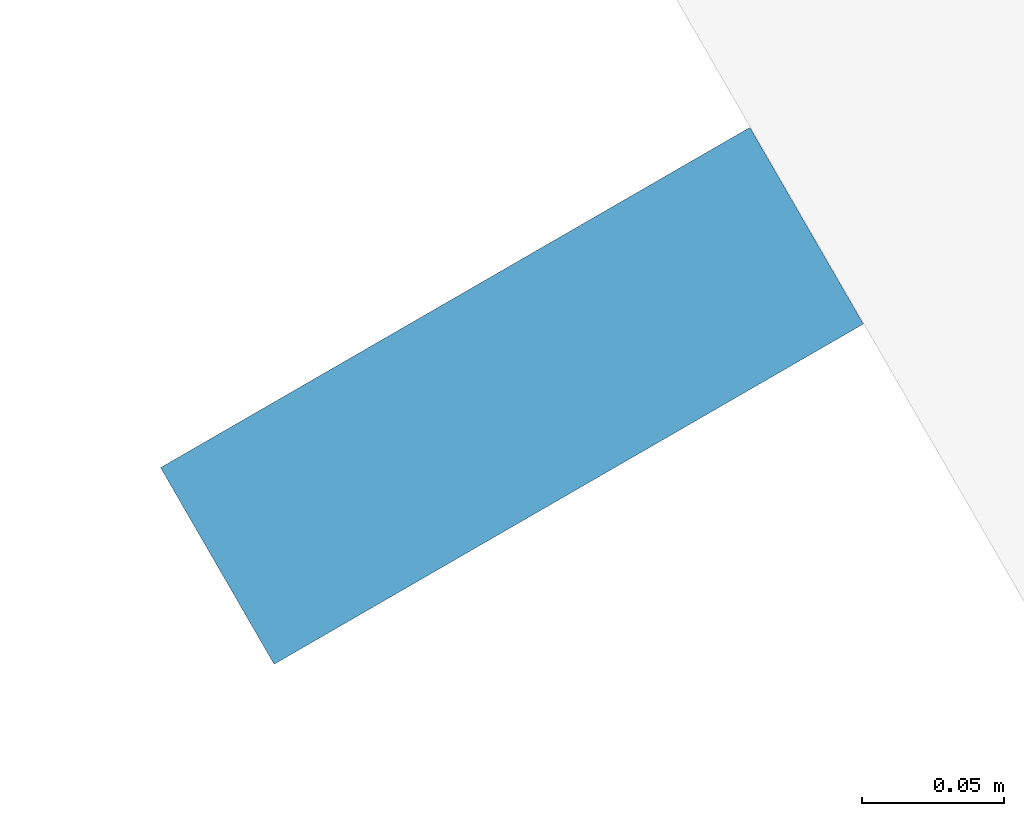
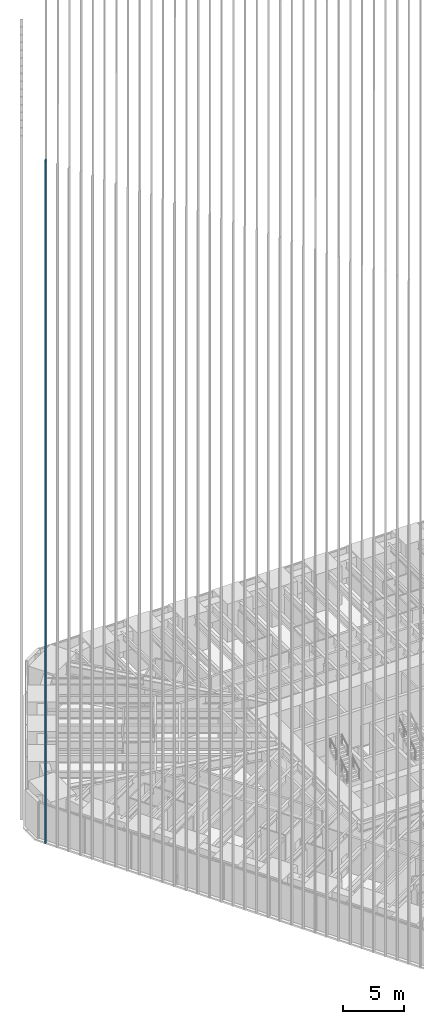
# One storey, part 134 of 256: 1 member, 1 element without a shape of its own.
"""IFC4 building model written with IfcOpenShell, lengths in metres."""

from ifc_helpers import new_model, si_unit, direction, frame, origin, origin_2d, place, context, subcontext, project, spatial, rectangle, extrude, material, material_profile, profile_set, type_object, element, aggregate, save


model = new_model("IFC4")

# Units and contexts
model_context = context("Model", 3, precision=1e-05, world=origin(), true_north=direction((0.0, 1.0)))
body_context = subcontext(model_context, "Body", "Model", "MODEL_VIEW")
ifc_project = project(units=[si_unit("LENGTHUNIT", "METRE"), si_unit("AREAUNIT", "SQUARE_METRE"), si_unit("VOLUMEUNIT", "CUBIC_METRE"), si_unit("PLANEANGLEUNIT", "RADIAN"), si_unit("MASSUNIT", "GRAM", prefix="KILO")], contexts=[model_context])

# Site, building, storey
site_placement = place(None, origin())
site = spatial("IfcSite", under=ifc_project, at=site_placement, CompositionType="ELEMENT")
building_placement = place(site_placement, origin())
building = spatial("IfcBuilding", under=site, at=building_placement, Name="Sandreach Pilgrim Tower", CompositionType="ELEMENT")
storey_placement = place(building_placement, frame((0.0, 0.0, 23.0)))
storey = spatial("IfcBuildingStorey", under=building, at=storey_placement, Name="L04", CompositionType="ELEMENT", Elevation=23.0)

# Curtain wall, member
ifc_material_1 = material(Name="Aluminium framed curtain wall", Category="aluminium")
curtain_wall_type = type_object("IfcCurtainWallType", Name="Hostel tower curtain wall", PredefinedType="NOTDEFINED", material=ifc_material_1)
curtain_wall_placement = place(storey_placement, origin())
curtain_wall = element("IfcCurtainWall", 1, at=curtain_wall_placement, inside=storey, type_object=curtain_wall_type, Name="CW-1 L04 SW", PredefinedType="NOTDEFINED")
ifc_material_2 = material(Name="Extruded terracotta on aluminium core", Category="masonry")
ifc_material_profile = material_profile(ifc_material_2, rectangle(XDim=0.080078125, YDim=0.239990234375, at=origin_2d()), Name="TBW 80X240")
ifc_profile_set = profile_set([ifc_material_profile], Name="Extruded terracotta on aluminium core")
member_type = type_object("IfcMemberType", Name="Terracotta baguette west", PredefinedType="USERDEFINED", material=ifc_profile_set)
member_placement = place(storey_placement, frame((-30.508056640625, 4.10400390625, 0.0), z_axis=(0.0, 0.0, 1.0), x_axis=(-0.5, 0.866025403784, 0.0)))
member = element("IfcMember", 2, at=member_placement, type_object=member_type, Name="Baguette Z1 SW35", ObjectType="BAGUETTE", PredefinedType="USERDEFINED", context=body_context, shape_type="SweptSolid", body=[
    extrude(rectangle(XDim=0.080078125, YDim=0.239990234375, at=origin_2d()), origin(), (0.0, 0.0, 1.0), 68.239990234375),
])
aggregate(curtain_wall, [member])

save(model, "model.ifc")
